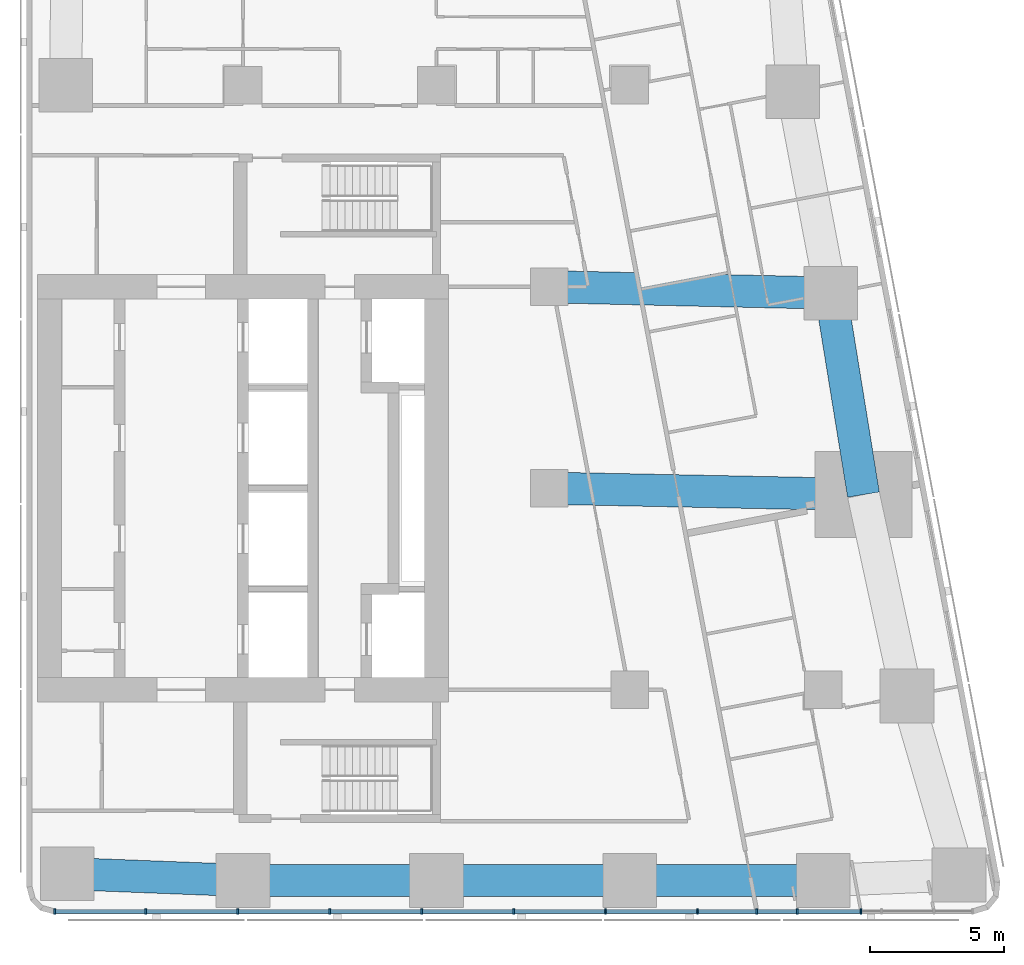
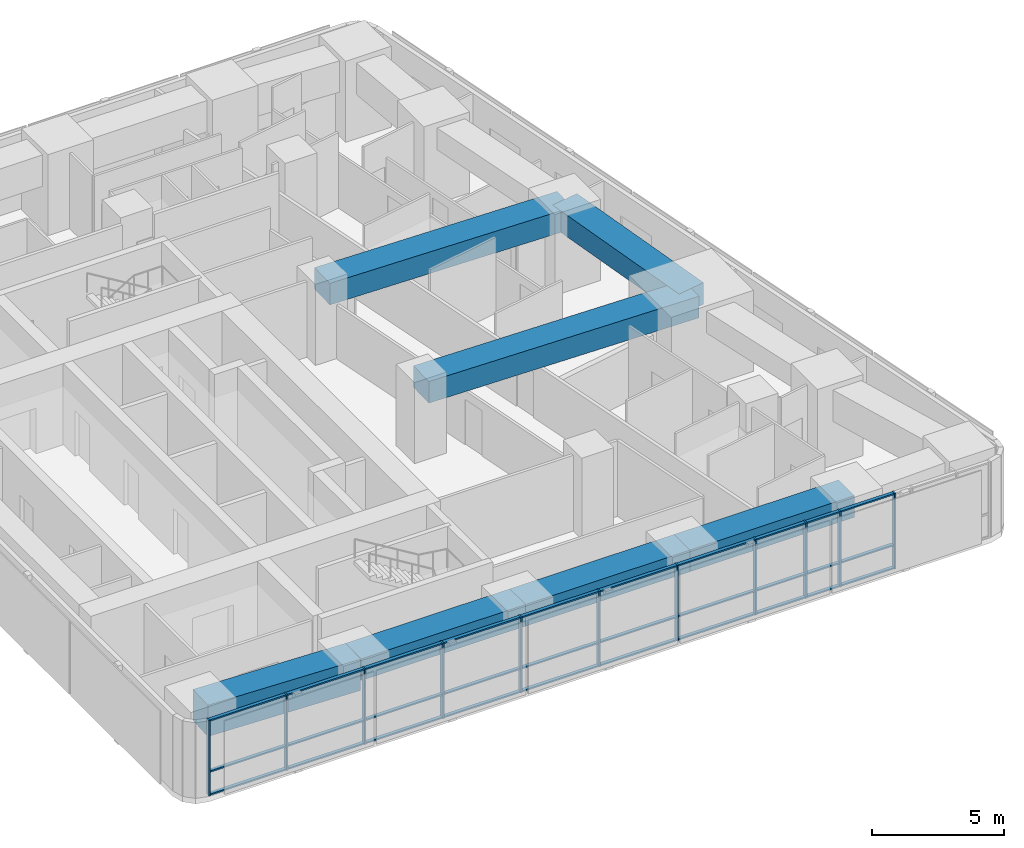
# One storey, part 2 of 10: 41 members, 7 beams, 1 element without a shape of its own.
"""IFC4 building model written with IfcOpenShell, lengths in metres."""

from ifc_helpers import new_model, si_unit, direction, frame, origin, origin_2d, place, context, subcontext, project, spatial, rectangle, extrude, material, material_profile, profile_set, type_object, element, aggregate, save


model = new_model("IFC4")

# Units and contexts
model_context = context("Model", 3, precision=1e-05, world=origin(), true_north=direction((0.0, 1.0)))
body_context = subcontext(model_context, "Body", "Model", "MODEL_VIEW")
ifc_project = project(units=[si_unit("LENGTHUNIT", "METRE"), si_unit("AREAUNIT", "SQUARE_METRE"), si_unit("VOLUMEUNIT", "CUBIC_METRE"), si_unit("PLANEANGLEUNIT", "RADIAN"), si_unit("MASSUNIT", "GRAM", prefix="KILO")], contexts=[model_context])

# Site, building, storey
site_placement = place(None, origin())
site = spatial("IfcSite", under=ifc_project, at=site_placement, CompositionType="ELEMENT")
building_placement = place(site_placement, origin())
building = spatial("IfcBuilding", under=site, at=building_placement, Name="Sheger Commons Tower", CompositionType="ELEMENT")
storey_placement = place(building_placement, frame((0.0, 0.0, 285.35009765625)))
storey = spatial("IfcBuildingStorey", under=building, at=storey_placement, Name="L73", CompositionType="ELEMENT", Elevation=285.35009765625)

# Beams
ifc_material_1 = material(Name="Concrete C50/60", Category="concrete")
ifc_material_profile_1 = material_profile(ifc_material_1, rectangle(XDim=1.199951171875, YDim=1.0, at=origin_2d()), Name="RC 1200x1000")
ifc_profile_set_1 = profile_set([ifc_material_profile_1], Name="Concrete C50/60")
beam_type_1 = type_object("IfcBeamType", Name="BEAM RC 1200x1000", PredefinedType="BEAM", material=ifc_profile_set_1)
beam_1_placement = place(storey_placement, frame((33.0, 22.5, 3.0), z_axis=(0.999794692776, -0.02026258368, 0.0), x_axis=(0.02026258368, 0.999794692776, 0.0)))
element("IfcBeam", 1, at=beam_1_placement, inside=storey, type_object=beam_type_1, Name="Beam 6-3000/D-7/D under L74", PredefinedType="BEAM", context=body_context, shape_type="SweptSolid", body=[
    extrude(rectangle(XDim=1.199951171875, YDim=1.0, at=origin_2d()), origin(), (0.0, 0.0, 1.0), 11.699462890625),
])
beam_2_placement = place(storey_placement, frame((33.0, 30.0, 3.0), z_axis=(0.999744258625, -0.022614538395, 0.0), x_axis=(0.022614538395, 0.999744258625, 0.0)))
element("IfcBeam", 2, at=beam_2_placement, inside=storey, type_object=beam_type_1, Name="Beam 6-3000/E-E/E under L74", PredefinedType="BEAM", context=body_context, shape_type="SweptSolid", body=[
    extrude(rectangle(XDim=1.199951171875, YDim=1.0, at=origin_2d()), origin(), (0.0, 0.0, 1.0), 10.482666015625),
])

# Curtain wall, members
ifc_material_2 = material(Name="Black aluminium curtain wall, dark tinted glazing", Category="aluminium")
curtain_wall_type = type_object("IfcCurtainWallType", Name="CURTAIN WALL CW5 SOUTH GALLERY", PredefinedType="USERDEFINED", material=ifc_material_2)
curtain_wall_placement = place(storey_placement, origin())
curtain_wall = element("IfcCurtainWall", 3, at=curtain_wall_placement, inside=storey, type_object=curtain_wall_type, Name="Curtain Wall Cw5 South Gallery S1 L73", ObjectType="UNITISED CURTAIN WALL", PredefinedType="USERDEFINED")
ifc_material_3 = material(Name="Black anodised aluminium", Category="aluminium")
ifc_material_profile_2 = material_profile(ifc_material_3, rectangle(XDim=0.199951171875, YDim=0.06494140625, at=origin_2d()), Name="AL 65x200")
ifc_profile_set_2 = profile_set([ifc_material_profile_2], Name="Black anodised aluminium")
member_type_1 = type_object("IfcMemberType", Name="MULLION AL 65x200", PredefinedType="MULLION", material=ifc_profile_set_2)
member_1_placement = place(storey_placement, frame((14.595458984375, 6.75, 0.0), z_axis=(0.0, 0.0, 1.0), x_axis=(0.0, 1.0, 0.0)))
member_1 = element("IfcMember", 4, at=member_1_placement, type_object=member_type_1, Name="CW5 mullion 1", PredefinedType="MULLION", context=body_context, shape_type="SweptSolid", body=[
    extrude(rectangle(XDim=0.199951171875, YDim=0.06494140625, at=origin_2d()), origin(), (0.0, 0.0, 1.0), 3.5),
])
member_2_placement = place(storey_placement, frame((17.985107421875, 6.75, 0.0), z_axis=(0.0, 0.0, 1.0), x_axis=(0.0, 1.0, 0.0)))
member_2 = element("IfcMember", 5, at=member_2_placement, type_object=member_type_1, Name="CW5 mullion 2", PredefinedType="MULLION", context=body_context, shape_type="SweptSolid", body=[
    extrude(rectangle(XDim=0.199951171875, YDim=0.06494140625, at=origin_2d()), origin(), (0.0, 0.0, 1.0), 3.5),
])
member_3_placement = place(storey_placement, frame((21.407958984375, 6.75, 0.0), z_axis=(0.0, 0.0, 1.0), x_axis=(0.0, 1.0, 0.0)))
member_3 = element("IfcMember", 6, at=member_3_placement, type_object=member_type_1, Name="CW5 mullion 3", PredefinedType="MULLION", context=body_context, shape_type="SweptSolid", body=[
    extrude(rectangle(XDim=0.199951171875, YDim=0.06494140625, at=origin_2d()), origin(), (0.0, 0.0, 1.0), 3.5),
])
member_4_placement = place(storey_placement, frame((24.830078125, 6.75, 0.0), z_axis=(0.0, 0.0, 1.0), x_axis=(0.0, 1.0, 0.0)))
member_4 = element("IfcMember", 7, at=member_4_placement, type_object=member_type_1, Name="CW5 mullion 4", PredefinedType="MULLION", context=body_context, shape_type="SweptSolid", body=[
    extrude(rectangle(XDim=0.199951171875, YDim=0.06494140625, at=origin_2d()), origin(), (0.0, 0.0, 1.0), 3.5),
])
member_5_placement = place(storey_placement, frame((28.2529296875, 6.75, 0.0), z_axis=(0.0, 0.0, 1.0), x_axis=(0.0, 1.0, 0.0)))
member_5 = element("IfcMember", 8, at=member_5_placement, type_object=member_type_1, Name="CW5 mullion 5", PredefinedType="MULLION", context=body_context, shape_type="SweptSolid", body=[
    extrude(rectangle(XDim=0.199951171875, YDim=0.06494140625, at=origin_2d()), origin(), (0.0, 0.0, 1.0), 3.5),
])
member_6_placement = place(storey_placement, frame((31.675048828125, 6.75, 0.0), z_axis=(0.0, 0.0, 1.0), x_axis=(0.0, 1.0, 0.0)))
member_6 = element("IfcMember", 9, at=member_6_placement, type_object=member_type_1, Name="CW5 mullion 6", PredefinedType="MULLION", context=body_context, shape_type="SweptSolid", body=[
    extrude(rectangle(XDim=0.199951171875, YDim=0.06494140625, at=origin_2d()), origin(), (0.0, 0.0, 1.0), 3.5),
])
member_7_placement = place(storey_placement, frame((35.096923828125, 6.75, 0.0), z_axis=(0.0, 0.0, 1.0), x_axis=(0.0, 1.0, 0.0)))
member_7 = element("IfcMember", 10, at=member_7_placement, type_object=member_type_1, Name="CW5 mullion 7", PredefinedType="MULLION", context=body_context, shape_type="SweptSolid", body=[
    extrude(rectangle(XDim=0.199951171875, YDim=0.06494140625, at=origin_2d()), origin(), (0.0, 0.0, 1.0), 3.5),
])
member_8_placement = place(storey_placement, frame((38.52001953125, 6.75, 0.0), z_axis=(0.0, 0.0, 1.0), x_axis=(0.0, 1.0, 0.0)))
member_8 = element("IfcMember", 11, at=member_8_placement, type_object=member_type_1, Name="CW5 mullion 8", PredefinedType="MULLION", context=body_context, shape_type="SweptSolid", body=[
    extrude(rectangle(XDim=0.199951171875, YDim=0.06494140625, at=origin_2d()), origin(), (0.0, 0.0, 1.0), 3.5),
])
member_9_placement = place(storey_placement, frame((40.72900390625, 6.75, 0.0), z_axis=(0.0, 0.0, 1.0), x_axis=(0.0, 1.0, 0.0)))
member_9 = element("IfcMember", 12, at=member_9_placement, type_object=member_type_1, Name="CW5 mullion 9", PredefinedType="MULLION", context=body_context, shape_type="SweptSolid", body=[
    extrude(rectangle(XDim=0.199951171875, YDim=0.06494140625, at=origin_2d()), origin(), (0.0, 0.0, 1.0), 3.5),
])
member_10_placement = place(storey_placement, frame((42.22802734375, 6.75, 0.0), z_axis=(0.0, 0.0, 1.0), x_axis=(0.0, 1.0, 0.0)))
member_10 = element("IfcMember", 13, at=member_10_placement, type_object=member_type_1, Name="CW5 mullion 10", PredefinedType="MULLION", context=body_context, shape_type="SweptSolid", body=[
    extrude(rectangle(XDim=0.199951171875, YDim=0.06494140625, at=origin_2d()), origin(), (0.0, 0.0, 1.0), 3.5),
])
member_11_placement = place(storey_placement, frame((44.60595703125, 6.75, 0.0), z_axis=(0.0, 0.0, 1.0), x_axis=(0.0, 1.0, 0.0)))
member_11 = element("IfcMember", 14, at=member_11_placement, type_object=member_type_1, Name="CW5 mullion 11", PredefinedType="MULLION", context=body_context, shape_type="SweptSolid", body=[
    extrude(rectangle(XDim=0.199951171875, YDim=0.06494140625, at=origin_2d()), origin(), (0.0, 0.0, 1.0), 3.5),
])

# Beams
ifc_material_4 = material(Name="Concrete C50/60", Category="concrete")
ifc_material_profile_3 = material_profile(ifc_material_4, rectangle(XDim=1.199951171875, YDim=1.0, at=origin_2d()), Name="RC 1200x1000")
ifc_profile_set_3 = profile_set([ifc_material_profile_3], Name="Concrete C50/60")
beam_type_2 = type_object("IfcBeamType", Name="SPANDREL RC 1200x1000", PredefinedType="SPANDREL", material=ifc_profile_set_3)
for number, where, z_axis, x_axis, name in (
    (15, (21.60009765625, 7.89990234375, 3.0), (1.0, 0.0, 0.0), (0.0, 1.0, 0.0), "Beam 4/B-5/B under L74"),
    (16, (28.800048828125, 7.89990234375, 3.0), (1.0, 0.0, 0.0), (0.0, 1.0, 0.0), "Beam 5/B-6/B under L74"),
    (17, (36.0, 7.89990234375, 3.0), (1.0, 0.0, 0.0), (0.0, 1.0, 0.0), "Beam 6/B-7/B under L74"),
):
    element("IfcBeam", number, at=place(storey_placement, frame(where, z_axis=z_axis, x_axis=x_axis)), inside=storey, type_object=beam_type_2, Name=name, PredefinedType="SPANDREL", context=body_context, shape_type="SweptSolid", body=[
        extrude(rectangle(XDim=1.199951171875, YDim=1.0, at=origin_2d()), origin(), (0.0, 0.0, 1.0), 7.199951171875),
    ])
beam_3_placement = place(storey_placement, frame((44.697021484375, 22.262939453125, 3.0), z_axis=(-0.160176929512, 0.987088319884, 0.0), x_axis=(-0.987088319884, -0.160176929512, 0.0)))
element("IfcBeam", 18, at=beam_3_placement, inside=storey, type_object=beam_type_2, Name="Beam E/D-E/E under L74", PredefinedType="SPANDREL", context=body_context, shape_type="SweptSolid", body=[
    extrude(rectangle(XDim=1.199951171875, YDim=1.0, at=origin_2d()), origin(), (0.0, 0.0, 1.0), 7.59814453125),
])
ifc_material_5 = material(Name="Concrete C50/60", Category="concrete")
ifc_material_profile_4 = material_profile(ifc_material_5, rectangle(XDim=1.199951171875, YDim=1.449951171875, at=origin_2d()), Name="RC 1200x1450")
ifc_profile_set_4 = profile_set([ifc_material_profile_4], Name="Concrete C50/60")
beam_type_3 = type_object("IfcBeamType", Name="SPANDREL RC 1200x1450", PredefinedType="SPANDREL", material=ifc_profile_set_4)
beam_4_placement = place(storey_placement, frame((15.053955078125, 8.154052734375, 2.77490234375), z_axis=(0.999247181966, -0.038795223079, 0.0), x_axis=(0.038795223079, 0.999247181966, 0.0)))
element("IfcBeam", 19, at=beam_4_placement, inside=storey, type_object=beam_type_3, Name="Beam 3/B-4/B under L74", PredefinedType="SPANDREL", context=body_context, shape_type="SweptSolid", body=[
    extrude(rectangle(XDim=1.199951171875, YDim=1.449951171875, at=origin_2d()), origin(), (0.0, 0.0, 1.0), 6.551025390625),
])

# Member
ifc_material_6 = material(Name="Black anodised aluminium", Category="aluminium")
ifc_material_profile_5 = material_profile(ifc_material_6, rectangle(XDim=0.14990234375, YDim=0.06494140625, at=origin_2d()), Name="AL 65x150")
ifc_profile_set_5 = profile_set([ifc_material_profile_5], Name="Black anodised aluminium")
member_type_2 = type_object("IfcMemberType", Name="TRANSOM AL 65x150", PredefinedType="USERDEFINED", material=ifc_profile_set_5)
member_12_placement = place(storey_placement, frame((14.6279296875, 6.75, 0.032470703125), z_axis=(1.0, 0.0, 0.0), x_axis=(0.0, 1.0, 0.0)))
member_12 = element("IfcMember", 20, at=member_12_placement, type_object=member_type_2, Name="CW5 transom 1.1", ObjectType="TRANSOM", PredefinedType="USERDEFINED", context=body_context, shape_type="SweptSolid", body=[
    extrude(rectangle(XDim=0.14990234375, YDim=0.06494140625, at=origin_2d()), origin(), (0.0, 0.0, 1.0), 3.324462890625),
])

member_13_placement = place(storey_placement, frame((14.6279296875, 6.75, 1.099853515625), z_axis=(1.0, 0.0, 0.0), x_axis=(0.0, 1.0, 0.0)))
member_13 = element("IfcMember", 21, at=member_13_placement, type_object=member_type_2, Name="CW5 transom 1.2", ObjectType="TRANSOM", PredefinedType="USERDEFINED", context=body_context, shape_type="SweptSolid", body=[
    extrude(rectangle(XDim=0.14990234375, YDim=0.06494140625, at=origin_2d()), origin(), (0.0, 0.0, 1.0), 3.324462890625),
])

member_14_placement = place(storey_placement, frame((14.6279296875, 6.75, 3.46728515625), z_axis=(1.0, 0.0, 0.0), x_axis=(0.0, 1.0, 0.0)))
member_14 = element("IfcMember", 22, at=member_14_placement, type_object=member_type_2, Name="CW5 transom 1.3", ObjectType="TRANSOM", PredefinedType="USERDEFINED", context=body_context, shape_type="SweptSolid", body=[
    extrude(rectangle(XDim=0.14990234375, YDim=0.06494140625, at=origin_2d()), origin(), (0.0, 0.0, 1.0), 3.324462890625),
])

member_15_placement = place(storey_placement, frame((18.017578125, 6.75, 0.032470703125), z_axis=(1.0, 0.0, 0.0), x_axis=(0.0, 1.0, 0.0)))
member_15 = element("IfcMember", 23, at=member_15_placement, type_object=member_type_2, Name="CW5 transom 2.1", ObjectType="TRANSOM", PredefinedType="USERDEFINED", context=body_context, shape_type="SweptSolid", body=[
    extrude(rectangle(XDim=0.14990234375, YDim=0.06494140625, at=origin_2d()), origin(), (0.0, 0.0, 1.0), 3.35791015625),
])

member_16_placement = place(storey_placement, frame((18.017578125, 6.75, 1.099853515625), z_axis=(1.0, 0.0, 0.0), x_axis=(0.0, 1.0, 0.0)))
member_16 = element("IfcMember", 24, at=member_16_placement, type_object=member_type_2, Name="CW5 transom 2.2", ObjectType="TRANSOM", PredefinedType="USERDEFINED", context=body_context, shape_type="SweptSolid", body=[
    extrude(rectangle(XDim=0.14990234375, YDim=0.06494140625, at=origin_2d()), origin(), (0.0, 0.0, 1.0), 3.35791015625),
])

member_17_placement = place(storey_placement, frame((18.017578125, 6.75, 3.46728515625), z_axis=(1.0, 0.0, 0.0), x_axis=(0.0, 1.0, 0.0)))
member_17 = element("IfcMember", 25, at=member_17_placement, type_object=member_type_2, Name="CW5 transom 2.3", ObjectType="TRANSOM", PredefinedType="USERDEFINED", context=body_context, shape_type="SweptSolid", body=[
    extrude(rectangle(XDim=0.14990234375, YDim=0.06494140625, at=origin_2d()), origin(), (0.0, 0.0, 1.0), 3.35791015625),
])

member_18_placement = place(storey_placement, frame((21.4404296875, 6.75, 0.032470703125), z_axis=(1.0, 0.0, 0.0), x_axis=(0.0, 1.0, 0.0)))
member_18 = element("IfcMember", 26, at=member_18_placement, type_object=member_type_2, Name="CW5 transom 3.1", ObjectType="TRANSOM", PredefinedType="USERDEFINED", context=body_context, shape_type="SweptSolid", body=[
    extrude(rectangle(XDim=0.14990234375, YDim=0.06494140625, at=origin_2d()), origin(), (0.0, 0.0, 1.0), 3.357177734375),
])

member_19_placement = place(storey_placement, frame((21.4404296875, 6.75, 1.099853515625), z_axis=(1.0, 0.0, 0.0), x_axis=(0.0, 1.0, 0.0)))
member_19 = element("IfcMember", 27, at=member_19_placement, type_object=member_type_2, Name="CW5 transom 3.2", ObjectType="TRANSOM", PredefinedType="USERDEFINED", context=body_context, shape_type="SweptSolid", body=[
    extrude(rectangle(XDim=0.14990234375, YDim=0.06494140625, at=origin_2d()), origin(), (0.0, 0.0, 1.0), 3.357177734375),
])

member_20_placement = place(storey_placement, frame((21.4404296875, 6.75, 3.46728515625), z_axis=(1.0, 0.0, 0.0), x_axis=(0.0, 1.0, 0.0)))
member_20 = element("IfcMember", 28, at=member_20_placement, type_object=member_type_2, Name="CW5 transom 3.3", ObjectType="TRANSOM", PredefinedType="USERDEFINED", context=body_context, shape_type="SweptSolid", body=[
    extrude(rectangle(XDim=0.14990234375, YDim=0.06494140625, at=origin_2d()), origin(), (0.0, 0.0, 1.0), 3.357177734375),
])

member_21_placement = place(storey_placement, frame((24.862548828125, 6.75, 0.032470703125), z_axis=(1.0, 0.0, 0.0), x_axis=(0.0, 1.0, 0.0)))
member_21 = element("IfcMember", 29, at=member_21_placement, type_object=member_type_2, Name="CW5 transom 4.1", ObjectType="TRANSOM", PredefinedType="USERDEFINED", context=body_context, shape_type="SweptSolid", body=[
    extrude(rectangle(XDim=0.14990234375, YDim=0.06494140625, at=origin_2d()), origin(), (0.0, 0.0, 1.0), 3.35791015625),
])

member_22_placement = place(storey_placement, frame((24.862548828125, 6.75, 1.099853515625), z_axis=(1.0, 0.0, 0.0), x_axis=(0.0, 1.0, 0.0)))
member_22 = element("IfcMember", 30, at=member_22_placement, type_object=member_type_2, Name="CW5 transom 4.2", ObjectType="TRANSOM", PredefinedType="USERDEFINED", context=body_context, shape_type="SweptSolid", body=[
    extrude(rectangle(XDim=0.14990234375, YDim=0.06494140625, at=origin_2d()), origin(), (0.0, 0.0, 1.0), 3.35791015625),
])

member_23_placement = place(storey_placement, frame((24.862548828125, 6.75, 3.46728515625), z_axis=(1.0, 0.0, 0.0), x_axis=(0.0, 1.0, 0.0)))
member_23 = element("IfcMember", 31, at=member_23_placement, type_object=member_type_2, Name="CW5 transom 4.3", ObjectType="TRANSOM", PredefinedType="USERDEFINED", context=body_context, shape_type="SweptSolid", body=[
    extrude(rectangle(XDim=0.14990234375, YDim=0.06494140625, at=origin_2d()), origin(), (0.0, 0.0, 1.0), 3.35791015625),
])

member_24_placement = place(storey_placement, frame((28.285400390625, 6.75, 0.032470703125), z_axis=(1.0, 0.0, 0.0), x_axis=(0.0, 1.0, 0.0)))
member_24 = element("IfcMember", 32, at=member_24_placement, type_object=member_type_2, Name="CW5 transom 5.1", ObjectType="TRANSOM", PredefinedType="USERDEFINED", context=body_context, shape_type="SweptSolid", body=[
    extrude(rectangle(XDim=0.14990234375, YDim=0.06494140625, at=origin_2d()), origin(), (0.0, 0.0, 1.0), 3.357177734375),
])

member_25_placement = place(storey_placement, frame((28.285400390625, 6.75, 1.099853515625), z_axis=(1.0, 0.0, 0.0), x_axis=(0.0, 1.0, 0.0)))
member_25 = element("IfcMember", 33, at=member_25_placement, type_object=member_type_2, Name="CW5 transom 5.2", ObjectType="TRANSOM", PredefinedType="USERDEFINED", context=body_context, shape_type="SweptSolid", body=[
    extrude(rectangle(XDim=0.14990234375, YDim=0.06494140625, at=origin_2d()), origin(), (0.0, 0.0, 1.0), 3.357177734375),
])

member_26_placement = place(storey_placement, frame((28.285400390625, 6.75, 3.46728515625), z_axis=(1.0, 0.0, 0.0), x_axis=(0.0, 1.0, 0.0)))
member_26 = element("IfcMember", 34, at=member_26_placement, type_object=member_type_2, Name="CW5 transom 5.3", ObjectType="TRANSOM", PredefinedType="USERDEFINED", context=body_context, shape_type="SweptSolid", body=[
    extrude(rectangle(XDim=0.14990234375, YDim=0.06494140625, at=origin_2d()), origin(), (0.0, 0.0, 1.0), 3.357177734375),
])

member_27_placement = place(storey_placement, frame((31.70751953125, 6.75, 0.032470703125), z_axis=(1.0, 0.0, 0.0), x_axis=(0.0, 1.0, 0.0)))
member_27 = element("IfcMember", 35, at=member_27_placement, type_object=member_type_2, Name="CW5 transom 6.1", ObjectType="TRANSOM", PredefinedType="USERDEFINED", context=body_context, shape_type="SweptSolid", body=[
    extrude(rectangle(XDim=0.14990234375, YDim=0.06494140625, at=origin_2d()), origin(), (0.0, 0.0, 1.0), 3.35693359375),
])

member_28_placement = place(storey_placement, frame((31.70751953125, 6.75, 1.099853515625), z_axis=(1.0, 0.0, 0.0), x_axis=(0.0, 1.0, 0.0)))
member_28 = element("IfcMember", 36, at=member_28_placement, type_object=member_type_2, Name="CW5 transom 6.2", ObjectType="TRANSOM", PredefinedType="USERDEFINED", context=body_context, shape_type="SweptSolid", body=[
    extrude(rectangle(XDim=0.14990234375, YDim=0.06494140625, at=origin_2d()), origin(), (0.0, 0.0, 1.0), 3.35693359375),
])

member_29_placement = place(storey_placement, frame((31.70751953125, 6.75, 3.46728515625), z_axis=(1.0, 0.0, 0.0), x_axis=(0.0, 1.0, 0.0)))
member_29 = element("IfcMember", 37, at=member_29_placement, type_object=member_type_2, Name="CW5 transom 6.3", ObjectType="TRANSOM", PredefinedType="USERDEFINED", context=body_context, shape_type="SweptSolid", body=[
    extrude(rectangle(XDim=0.14990234375, YDim=0.06494140625, at=origin_2d()), origin(), (0.0, 0.0, 1.0), 3.35693359375),
])

member_30_placement = place(storey_placement, frame((35.12939453125, 6.75, 0.032470703125), z_axis=(1.0, 0.0, 0.0), x_axis=(0.0, 1.0, 0.0)))
member_30 = element("IfcMember", 38, at=member_30_placement, type_object=member_type_2, Name="CW5 transom 7.1", ObjectType="TRANSOM", PredefinedType="USERDEFINED", context=body_context, shape_type="SweptSolid", body=[
    extrude(rectangle(XDim=0.14990234375, YDim=0.06494140625, at=origin_2d()), origin(), (0.0, 0.0, 1.0), 3.358154296875),
])

member_31_placement = place(storey_placement, frame((35.12939453125, 6.75, 1.099853515625), z_axis=(1.0, 0.0, 0.0), x_axis=(0.0, 1.0, 0.0)))
member_31 = element("IfcMember", 39, at=member_31_placement, type_object=member_type_2, Name="CW5 transom 7.2", ObjectType="TRANSOM", PredefinedType="USERDEFINED", context=body_context, shape_type="SweptSolid", body=[
    extrude(rectangle(XDim=0.14990234375, YDim=0.06494140625, at=origin_2d()), origin(), (0.0, 0.0, 1.0), 3.358154296875),
])

member_32_placement = place(storey_placement, frame((35.12939453125, 6.75, 3.46728515625), z_axis=(1.0, 0.0, 0.0), x_axis=(0.0, 1.0, 0.0)))
member_32 = element("IfcMember", 40, at=member_32_placement, type_object=member_type_2, Name="CW5 transom 7.3", ObjectType="TRANSOM", PredefinedType="USERDEFINED", context=body_context, shape_type="SweptSolid", body=[
    extrude(rectangle(XDim=0.14990234375, YDim=0.06494140625, at=origin_2d()), origin(), (0.0, 0.0, 1.0), 3.358154296875),
])

member_33_placement = place(storey_placement, frame((38.552490234375, 6.75, 0.032470703125), z_axis=(1.0, 0.0, 0.0), x_axis=(0.0, 1.0, 0.0)))
member_33 = element("IfcMember", 41, at=member_33_placement, type_object=member_type_2, Name="CW5 transom 8.1", ObjectType="TRANSOM", PredefinedType="USERDEFINED", context=body_context, shape_type="SweptSolid", body=[
    extrude(rectangle(XDim=0.14990234375, YDim=0.06494140625, at=origin_2d()), origin(), (0.0, 0.0, 1.0), 2.14404296875),
])

member_34_placement = place(storey_placement, frame((38.552490234375, 6.75, 1.099853515625), z_axis=(1.0, 0.0, 0.0), x_axis=(0.0, 1.0, 0.0)))
member_34 = element("IfcMember", 42, at=member_34_placement, type_object=member_type_2, Name="CW5 transom 8.2", ObjectType="TRANSOM", PredefinedType="USERDEFINED", context=body_context, shape_type="SweptSolid", body=[
    extrude(rectangle(XDim=0.14990234375, YDim=0.06494140625, at=origin_2d()), origin(), (0.0, 0.0, 1.0), 2.14404296875),
])

member_35_placement = place(storey_placement, frame((38.552490234375, 6.75, 3.46728515625), z_axis=(1.0, 0.0, 0.0), x_axis=(0.0, 1.0, 0.0)))
member_35 = element("IfcMember", 43, at=member_35_placement, type_object=member_type_2, Name="CW5 transom 8.3", ObjectType="TRANSOM", PredefinedType="USERDEFINED", context=body_context, shape_type="SweptSolid", body=[
    extrude(rectangle(XDim=0.14990234375, YDim=0.06494140625, at=origin_2d()), origin(), (0.0, 0.0, 1.0), 2.14404296875),
])

member_36_placement = place(storey_placement, frame((40.761474609375, 6.75, 0.032470703125), z_axis=(1.0, 0.0, 0.0), x_axis=(0.0, 1.0, 0.0)))
member_36 = element("IfcMember", 44, at=member_36_placement, type_object=member_type_2, Name="CW5 transom 9.1", ObjectType="TRANSOM", PredefinedType="USERDEFINED", context=body_context, shape_type="SweptSolid", body=[
    extrude(rectangle(XDim=0.14990234375, YDim=0.06494140625, at=origin_2d()), origin(), (0.0, 0.0, 1.0), 1.43408203125),
])

member_37_placement = place(storey_placement, frame((40.761474609375, 6.75, 1.099853515625), z_axis=(1.0, 0.0, 0.0), x_axis=(0.0, 1.0, 0.0)))
member_37 = element("IfcMember", 45, at=member_37_placement, type_object=member_type_2, Name="CW5 transom 9.2", ObjectType="TRANSOM", PredefinedType="USERDEFINED", context=body_context, shape_type="SweptSolid", body=[
    extrude(rectangle(XDim=0.14990234375, YDim=0.06494140625, at=origin_2d()), origin(), (0.0, 0.0, 1.0), 1.43408203125),
])

member_38_placement = place(storey_placement, frame((40.761474609375, 6.75, 3.46728515625), z_axis=(1.0, 0.0, 0.0), x_axis=(0.0, 1.0, 0.0)))
member_38 = element("IfcMember", 46, at=member_38_placement, type_object=member_type_2, Name="CW5 transom 9.3", ObjectType="TRANSOM", PredefinedType="USERDEFINED", context=body_context, shape_type="SweptSolid", body=[
    extrude(rectangle(XDim=0.14990234375, YDim=0.06494140625, at=origin_2d()), origin(), (0.0, 0.0, 1.0), 1.43408203125),
])

member_39_placement = place(storey_placement, frame((42.260498046875, 6.75, 0.032470703125), z_axis=(1.0, 0.0, 0.0), x_axis=(0.0, 1.0, 0.0)))
member_39 = element("IfcMember", 47, at=member_39_placement, type_object=member_type_2, Name="CW5 transom 10.1", ObjectType="TRANSOM", PredefinedType="USERDEFINED", context=body_context, shape_type="SweptSolid", body=[
    extrude(rectangle(XDim=0.14990234375, YDim=0.06494140625, at=origin_2d()), origin(), (0.0, 0.0, 1.0), 2.31298828125),
])

member_40_placement = place(storey_placement, frame((42.260498046875, 6.75, 1.099853515625), z_axis=(1.0, 0.0, 0.0), x_axis=(0.0, 1.0, 0.0)))
member_40 = element("IfcMember", 48, at=member_40_placement, type_object=member_type_2, Name="CW5 transom 10.2", ObjectType="TRANSOM", PredefinedType="USERDEFINED", context=body_context, shape_type="SweptSolid", body=[
    extrude(rectangle(XDim=0.14990234375, YDim=0.06494140625, at=origin_2d()), origin(), (0.0, 0.0, 1.0), 2.31298828125),
])

member_41_placement = place(storey_placement, frame((42.260498046875, 6.75, 3.46728515625), z_axis=(1.0, 0.0, 0.0), x_axis=(0.0, 1.0, 0.0)))
member_41 = element("IfcMember", 49, at=member_41_placement, type_object=member_type_2, Name="CW5 transom 10.3", ObjectType="TRANSOM", PredefinedType="USERDEFINED", context=body_context, shape_type="SweptSolid", body=[
    extrude(rectangle(XDim=0.14990234375, YDim=0.06494140625, at=origin_2d()), origin(), (0.0, 0.0, 1.0), 2.31298828125),
])

aggregate(curtain_wall, [member_1, member_2, member_3, member_4, member_5, member_6, member_7, member_8, member_9, member_10, member_11, member_12, member_13, member_14, member_15, member_16, member_17, member_18, member_19, member_20, member_21, member_22, member_23, member_24, member_25, member_26, member_27, member_28, member_29, member_30, member_31, member_32, member_33, member_34, member_35, member_36, member_37, member_38, member_39, member_40, member_41])

save(model, "model.ifc")
